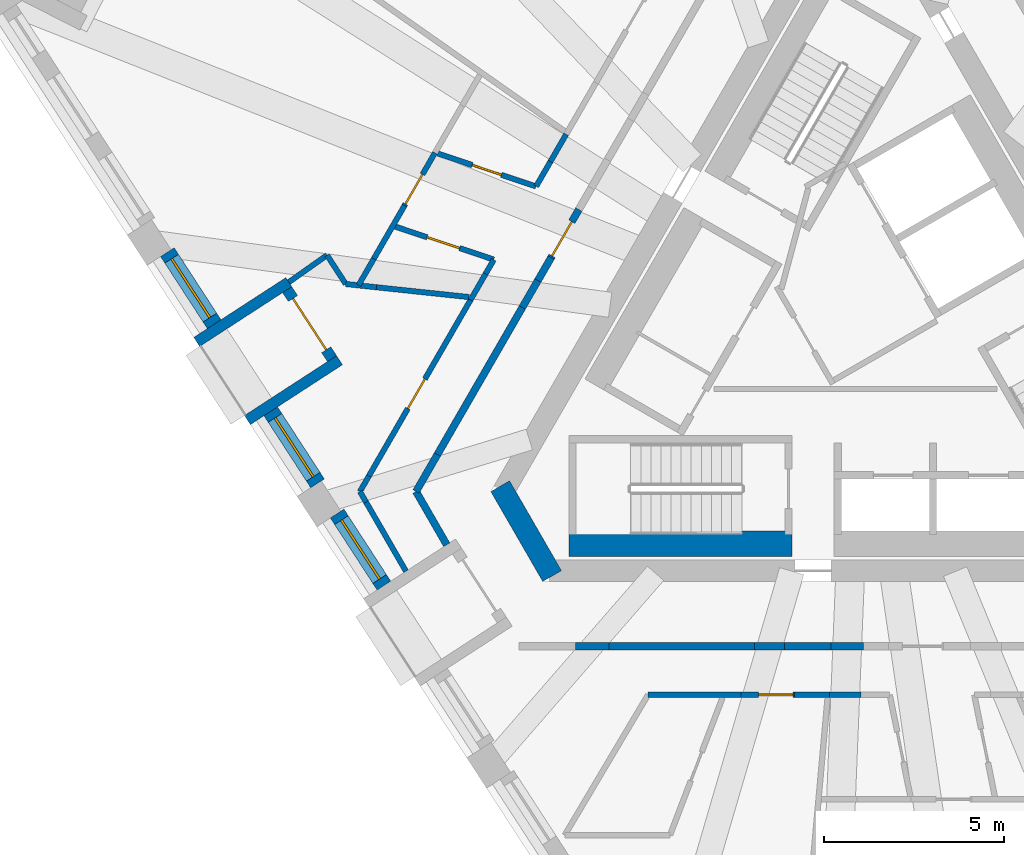
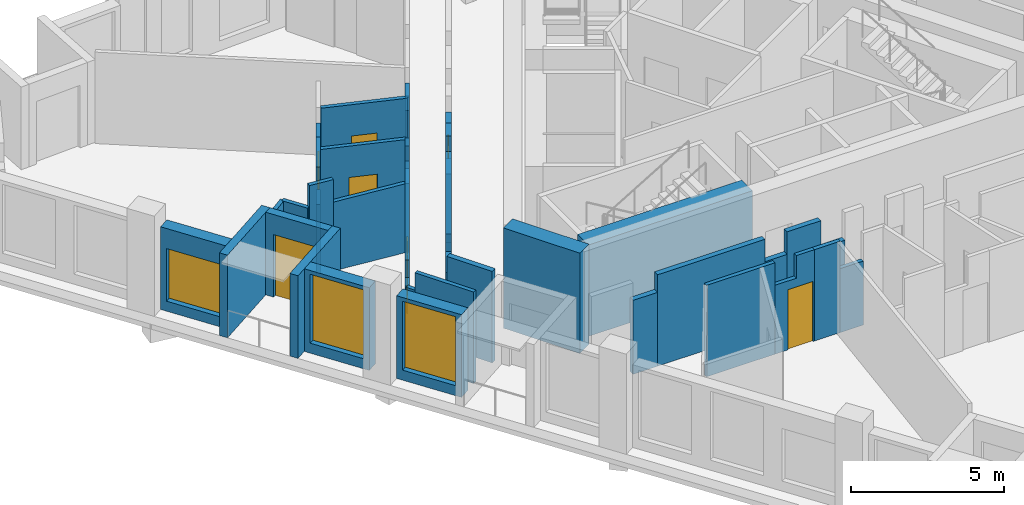
# One storey, part 3 of 13: 40 walls, 7 doors, 3 windows, 10 openings.
"""IFC4 building model written with IfcOpenShell, lengths in metres."""

from ifc_helpers import new_model, si_unit, direction, frame, frame_2d, origin, place, context, subcontext, project, spatial, polyline, rectangle, outline, extrude, material, layer, layer_set, type_object, element, fill, save


model = new_model("IFC4")

# Units and contexts
model_context = context("Model", 3, precision=1e-05, world=origin(), true_north=direction((0.0, 1.0)))
body_context = subcontext(model_context, "Body", "Model", "MODEL_VIEW")
ifc_project = project(units=[si_unit("LENGTHUNIT", "METRE"), si_unit("AREAUNIT", "SQUARE_METRE"), si_unit("VOLUMEUNIT", "CUBIC_METRE"), si_unit("PLANEANGLEUNIT", "RADIAN"), si_unit("MASSUNIT", "GRAM", prefix="KILO")], contexts=[model_context])

# Site, building, storey
site_placement = place(None, origin())
site = spatial("IfcSite", under=ifc_project, at=site_placement, CompositionType="ELEMENT")
building_placement = place(site_placement, origin())
building = spatial("IfcBuilding", under=site, at=building_placement, Name="Tramontana Tower", CompositionType="ELEMENT")
storey_placement = place(building_placement, frame((0.0, 0.0, 290.39990234375)))
storey = spatial("IfcBuildingStorey", under=building, at=storey_placement, Name="L68", CompositionType="ELEMENT", Elevation=290.39990234375)

# Walls
ifc_material_1 = material(Name="Concrete 70 MPa", Category="concrete")
ifc_layer_1 = layer(ifc_material_1, 0.60009765625)
ifc_layer_set_1 = layer_set([ifc_layer_1], Name="Core wall 600 70 MPa")
wall_type_1 = type_object("IfcWallType", Name="Core wall 600 70 MPa", PredefinedType="SHEAR", material=ifc_layer_set_1)
wall_1_placement = place(storey_placement, frame((-9.98828125, -4.10009765625, 0.0), z_axis=(0.0, 0.0, 1.0), x_axis=(0.499995765644, -0.866027848477, 0.0)))
element("IfcWall", 1, at=wall_1_placement, inside=storey, type_object=wall_type_1, Name="Core wall C2 L68", PredefinedType="SHEAR", context=body_context, shape_type="SweptSolid", body=[
    extrude(rectangle(XDim=2.88671875, YDim=0.60009765625, at=frame_2d((1.443359375, 0.0))), origin(), (0.0, 0.0, 1.0), 4.0),
])
ifc_material_2 = material(Name="Blockwork", Category="masonry")
ifc_layer_2 = layer(ifc_material_2, 0.199951171875)
ifc_layer_set_2 = layer_set([ifc_layer_2], Name="ENTRY WALL 200")
wall_type_2 = type_object("IfcWallType", Name="ENTRY WALL 200", PredefinedType="SOLIDWALL", material=ifc_layer_set_2)
wall_2_placement = place(storey_placement, frame((0.104248046875, -8.550048828125, 0.0), z_axis=(0.0, 0.0, 1.0), x_axis=(-1.0, 0.0, 0.0)))
element("IfcWall", 2, at=wall_2_placement, inside=storey, type_object=wall_type_2, Name="Wall v71-ew1-6", PredefinedType="SOLIDWALL", context=body_context, shape_type="SweptSolid", body=[
    extrude(rectangle(XDim=0.900634765625, YDim=0.199951171875, at=frame_2d((0.4501953125, 0.0))), origin(), (0.0, 0.0, 1.0), 2.550048828125),
])
wall_3_placement = place(storey_placement, frame((-0.79638671875, -8.550048828125, 0.0), z_axis=(0.0, 0.0, 1.0), x_axis=(-1.0, 0.0, 0.0)))
element("IfcWall", 3, at=wall_3_placement, inside=storey, type_object=wall_type_2, Name="Wall v71-ew1-7", PredefinedType="SOLIDWALL", context=body_context, shape_type="SweptSolid", body=[
    extrude(rectangle(XDim=1.2861328125, YDim=0.199951171875, at=frame_2d((0.64306640625, 0.0))), origin(), (0.0, 0.0, 1.0), 3.650146484375),
])
wall_4_placement = place(storey_placement, frame((-2.08251953125, -8.550048828125, 0.0), z_axis=(0.0, 0.0, 1.0), x_axis=(-1.0, 0.0, 0.0)))
element("IfcWall", 4, at=wall_4_placement, inside=storey, type_object=wall_type_2, Name="Wall v71-ew1-8", PredefinedType="SOLIDWALL", context=body_context, shape_type="SweptSolid", body=[
    extrude(rectangle(XDim=0.83349609375, YDim=0.199951171875, at=frame_2d((0.416748046875, 0.0))), origin(), (0.0, 0.0, 1.0), 2.75),
])
wall_5_placement = place(storey_placement, frame((-2.916015625, -8.550048828125, 0.0), z_axis=(0.0, 0.0, 1.0), x_axis=(-1.0, 0.0, 0.0)))
element("IfcWall", 5, at=wall_5_placement, inside=storey, type_object=wall_type_2, Name="Wall v71-ew1-9", PredefinedType="SOLIDWALL", context=body_context, shape_type="SweptSolid", body=[
    extrude(rectangle(XDim=4.052490234375, YDim=0.199951171875, at=frame_2d((2.0263671875, 0.0))), origin(), (0.0, 0.0, 1.0), 3.650146484375),
])
wall_6_placement = place(storey_placement, frame((-6.968505859375, -8.550048828125, 0.0), z_axis=(0.0, 0.0, 1.0), x_axis=(-1.0, 0.0, 0.0)))
element("IfcWall", 6, at=wall_6_placement, inside=storey, type_object=wall_type_2, Name="Wall v71-ew1-10", PredefinedType="SOLIDWALL", context=body_context, shape_type="SweptSolid", body=[
    extrude(rectangle(XDim=0.927490234375, YDim=0.199951171875, at=frame_2d((0.4638671875, 0.0))), origin(), (0.0, 0.0, 1.0), 2.9501953125),
])
wall_7_placement = place(storey_placement, frame((-11.472412109375, -5.729248046875, 0.0), z_axis=(0.0, 0.0, 1.0), x_axis=(-0.499982281718, 0.866035633198, 0.0)))
element("IfcWall", 7, at=wall_7_placement, inside=storey, type_object=wall_type_2, Name="Wall v71-ew2", PredefinedType="SOLIDWALL", context=body_context, shape_type="SweptSolid", body=[
    extrude(rectangle(XDim=1.7080078125, YDim=0.199951171875, at=frame_2d((0.85400390625, 0.0))), origin(), (0.0, 0.0, 1.0), 3.650146484375),
])
wall_8_placement = place(storey_placement, frame((-12.326416015625, -4.25, 0.0), z_axis=(0.0, 0.0, 1.0), x_axis=(0.499983247966, 0.86603507536, 0.0)))
element("IfcWall", 8, at=wall_8_placement, inside=storey, type_object=wall_type_2, Name="Wall v71-ew3-0", PredefinedType="SOLIDWALL", context=body_context, shape_type="SweptSolid", body=[
    extrude(rectangle(XDim=1.1884765625, YDim=0.199951171875, at=frame_2d((0.59423828125, 0.0))), origin(), (0.0, 0.0, 1.0), 2.9501953125),
])
wall_9_placement = place(storey_placement, frame((-11.732177734375, -3.220703125, 0.0), z_axis=(0.0, 0.0, 1.0), x_axis=(0.500007683529, 0.866020967652, 0.0)))
element("IfcWall", 9, at=wall_9_placement, inside=storey, type_object=wall_type_2, Name="Wall v71-ew3-1", PredefinedType="SOLIDWALL", context=body_context, shape_type="SweptSolid", body=[
    extrude(rectangle(XDim=4.71728515625, YDim=0.199951171875, at=frame_2d((2.358642578125, 0.0))), origin(), (0.0, 0.0, 1.0), 3.650146484375),
])
wall_10_placement = place(storey_placement, frame((-9.37353515625, 0.864501953125, 0.0), z_axis=(0.0, 0.0, 1.0), x_axis=(0.500056482814, 0.86599279096, 0.0)))
element("IfcWall", 10, at=wall_10_placement, inside=storey, type_object=wall_type_2, Name="Wall v71-ew3-2", PredefinedType="SOLIDWALL", context=body_context, shape_type="SweptSolid", body=[
    extrude(rectangle(XDim=0.86474609375, YDim=0.199951171875, at=frame_2d((0.432373046875, 0.0))), origin(), (0.0, 0.0, 1.0), 2.75),
])
wall_11_placement = place(storey_placement, frame((-8.941162109375, 1.61328125, 0.0), z_axis=(0.0, 0.0, 1.0), x_axis=(0.499875190247, 0.866097450739, 0.0)))
element("IfcWall", 11, at=wall_11_placement, inside=storey, type_object=wall_type_2, Name="Wall v71-ew3-3", PredefinedType="SOLIDWALL", context=body_context, shape_type="SweptSolid", body=[
    extrude(rectangle(XDim=0.738037109375, YDim=0.199951171875, at=frame_2d((0.369140625, 0.0))), origin(), (0.0, 0.0, 1.0), 3.650146484375),
])

# Wall, opening, door
wall_12_placement = place(storey_placement, frame((-8.572265625, 2.25244140625, 0.0), z_axis=(0.0, 0.0, 1.0), x_axis=(0.499992328818, 0.866029832698, 0.0)))
wall_12 = element("IfcWall", 12, at=wall_12_placement, inside=storey, type_object=wall_type_2, Name="Wall v71-ew3-4", PredefinedType="SOLIDWALL", context=body_context, shape_type="SweptSolid", body=[
    extrude(outline(polyline([(0.0, 0.0), (1.5400390625, 0.0), (1.5400390625, 2.550048828125), (0.63037109375, 2.550048828125), (0.63037109375, 3.650146484375), (0.0, 3.650146484375), (0.0, 0.0)])), frame((0.0, 0.10009765625, 0.0), z_axis=(0.0, -1.0, 0.0), x_axis=(1.0, 0.0, 0.0)), (0.0, 0.0, 1.0), 0.199951171875),
])
opening_1_placement = place(wall_12_placement, frame((0.050048828125, 0.0, 0.0)))
opening_1 = element("IfcOpeningElement", 13, at=opening_1_placement, cuts=wall_12, Name="Opening B7B-20", PredefinedType="OPENING", context=body_context, shape_type="SweptSolid", body=[
    extrude(rectangle(XDim=1.10009765625, YDim=2.39990234375, at=frame_2d((0.550048828125, 1.199951171875))), frame((0.0, 0.10986328125, 0.0), z_axis=(0.0, -1.0, 0.0), x_axis=(1.0, 0.0, 0.0)), (0.0, 0.0, 1.0), 0.219970703125),
])
ifc_material_3 = material(Name="Painted timber", Category="wood")
door_type_1 = type_object("IfcDoorType", Name="DOOR ENTRY 1100", OperationType="SINGLE_SWING_LEFT", PredefinedType="DOOR", material=ifc_material_3)
door_1_placement = place(opening_1_placement, origin())
door_1 = element("IfcDoor", 14, at=door_1_placement, inside=storey, type_object=door_type_1, Name="Door B7B-20", OperationType="SINGLE_SWING_RIGHT", OverallHeight=2.39990234375, OverallWidth=1.10009765625, PredefinedType="DOOR", context=body_context, shape_type="SweptSolid", body=[
    extrude(rectangle(XDim=1.10009765625, YDim=2.39990234375, at=frame_2d((0.550048828125, 1.199951171875))), frame((0.0, 0.02490234375, 0.0), z_axis=(0.0, -1.0, 0.0), x_axis=(1.0, 0.0, 0.0)), (0.0, 0.0, 1.0), 0.050048828125),
])
fill(opening_1, door_1)

# Wall, opening, window
ifc_material_4 = material(Name="Precast concrete 60 MPa", Category="concrete")
ifc_layer_3 = layer(ifc_material_4, 0.449951171875)
ifc_layer_set_3 = layer_set([ifc_layer_3], Name="Precast concrete 60 MPa, 450 mm")
wall_type_3 = type_object("IfcWallType", Name="EW1 Stone-faced precast wall 450", PredefinedType="SOLIDWALL", material=ifc_layer_set_3)
wall_13_placement = place(storey_placement, frame((-19.236083984375, 2.401123046875, 0.0), z_axis=(0.0, 0.0, 1.0), x_axis=(0.544675520966, -0.838646872563, 0.0)))
wall_13 = element("IfcWall", 15, at=wall_13_placement, inside=storey, type_object=wall_type_3, Name="External wall L68 face 0 bay 2", PredefinedType="SOLIDWALL", context=body_context, shape_type="SweptSolid", body=[
    extrude(rectangle(XDim=2.38671875, YDim=0.449951171875, at=frame_2d((1.193359375, 0.0))), origin(), (0.0, 0.0, 1.0), 3.300048828125),
])
opening_2_placement = place(wall_13_placement, frame((0.21826171875, 0.0, 0.39990234375)))
opening_2 = element("IfcOpeningElement", 16, at=opening_2_placement, cuts=wall_13, Name="Opening M3L", PredefinedType="OPENING", context=body_context, shape_type="SweptSolid", body=[
    extrude(rectangle(XDim=1.949951171875, YDim=2.10009765625, at=frame_2d((0.97509765625, 1.050048828125))), frame((0.0, 0.23486328125, 0.0), z_axis=(0.0, -1.0, 0.0), x_axis=(1.0, 0.0, 0.0)), (0.0, 0.0, 1.0), 0.469970703125),
])
ifc_material_5 = material(Name="Aluminum frame, double glazing unit", Category="aluminium")
window_type_1 = type_object("IfcWindowType", Name="M3L Window 1.95 x 2.1", PartitioningType="SINGLE_PANEL", PredefinedType="WINDOW", material=ifc_material_5)
window_1_placement = place(opening_2_placement, origin())
window_1 = element("IfcWindow", 17, at=window_1_placement, inside=storey, type_object=window_type_1, Name="Window M3L L68 face 0 module 4", OverallHeight=2.10009765625, OverallWidth=1.949951171875, PartitioningType="SINGLE_PANEL", PredefinedType="WINDOW", context=body_context, shape_type="SweptSolid", body=[
    extrude(rectangle(XDim=1.949951171875, YDim=2.10009765625, at=frame_2d((0.97509765625, 1.050048828125))), frame((0.0, 0.030029296875, 0.0), z_axis=(0.0, -1.0, 0.0), x_axis=(1.0, 0.0, 0.0)), (0.0, 0.0, 1.0), 0.06005859375),
])
fill(opening_2, window_1)

wall_14_placement = place(storey_placement, frame((-16.36376953125, -2.021728515625, 0.0), z_axis=(0.0, 0.0, 1.0), x_axis=(0.544603573947, -0.838693595566, 0.0)))
wall_14 = element("IfcWall", 18, at=wall_14_placement, inside=storey, type_object=wall_type_3, Name="External wall L68 face 0 bay 2", PredefinedType="SOLIDWALL", context=body_context, shape_type="SweptSolid", body=[
    extrude(rectangle(XDim=2.38671875, YDim=0.449951171875, at=frame_2d((1.193359375, 0.0))), origin(), (0.0, 0.0, 1.0), 3.300048828125),
])
opening_3_placement = place(wall_14_placement, frame((0.21826171875, 0.0, 0.39990234375)))
opening_3 = element("IfcOpeningElement", 19, at=opening_3_placement, cuts=wall_14, Name="Opening M3", PredefinedType="OPENING", context=body_context, shape_type="SweptSolid", body=[
    extrude(rectangle(XDim=1.949951171875, YDim=2.75, at=frame_2d((0.97509765625, 1.375))), frame((0.0, 0.23486328125, 0.0), z_axis=(0.0, -1.0, 0.0), x_axis=(1.0, 0.0, 0.0)), (0.0, 0.0, 1.0), 0.469970703125),
])
ifc_material_6 = material(Name="Aluminum frame, double glazing unit", Category="aluminium")
window_type_2 = type_object("IfcWindowType", Name="M3 Window 1.95 x 2.75", PartitioningType="SINGLE_PANEL", PredefinedType="WINDOW", material=ifc_material_6)
window_2_placement = place(opening_3_placement, origin())
window_2 = element("IfcWindow", 20, at=window_2_placement, inside=storey, type_object=window_type_2, Name="Window M3 L68 face 0 module 6", OverallHeight=2.75, OverallWidth=1.949951171875, PartitioningType="SINGLE_PANEL", PredefinedType="WINDOW", context=body_context, shape_type="SweptSolid", body=[
    extrude(rectangle(XDim=1.949951171875, YDim=2.75, at=frame_2d((0.97509765625, 1.375))), frame((0.0, 0.030029296875, 0.0), z_axis=(0.0, -1.0, 0.0), x_axis=(1.0, 0.0, 0.0)), (0.0, 0.0, 1.0), 0.06005859375),
])
fill(opening_3, window_2)

wall_15_placement = place(storey_placement, frame((-14.519287109375, -4.862060546875, 0.0), z_axis=(0.0, 0.0, 1.0), x_axis=(0.544603573947, -0.838693595566, 0.0)))
wall_15 = element("IfcWall", 21, at=wall_15_placement, inside=storey, type_object=wall_type_3, Name="External wall L68 face 0 bay 3", PredefinedType="SOLIDWALL", context=body_context, shape_type="SweptSolid", body=[
    extrude(rectangle(XDim=2.38671875, YDim=0.449951171875, at=frame_2d((1.193359375, 0.0))), origin(), (0.0, 0.0, 1.0), 3.300048828125),
])
opening_4_placement = place(wall_15_placement, frame((0.21826171875, 0.0, 0.39990234375)))
opening_4 = element("IfcOpeningElement", 22, at=opening_4_placement, cuts=wall_15, Name="Opening M3", PredefinedType="OPENING", context=body_context, shape_type="SweptSolid", body=[
    extrude(rectangle(XDim=1.949951171875, YDim=2.75, at=frame_2d((0.97509765625, 1.375))), frame((0.0, 0.23486328125, 0.0), z_axis=(0.0, -1.0, 0.0), x_axis=(1.0, 0.0, 0.0)), (0.0, 0.0, 1.0), 0.469970703125),
])
window_3_placement = place(opening_4_placement, origin())
window_3 = element("IfcWindow", 23, at=window_3_placement, inside=storey, type_object=window_type_2, Name="Window M3 L68 face 0 module 7", OverallHeight=2.75, OverallWidth=1.949951171875, PartitioningType="SINGLE_PANEL", PredefinedType="WINDOW", context=body_context, shape_type="SweptSolid", body=[
    extrude(rectangle(XDim=1.949951171875, YDim=2.75, at=frame_2d((0.97509765625, 1.375))), frame((0.0, 0.030029296875, 0.0), z_axis=(0.0, -1.0, 0.0), x_axis=(1.0, 0.0, 0.0)), (0.0, 0.0, 1.0), 0.06005859375),
])
fill(opening_4, window_3)

# Wall, opening, door
ifc_material_7 = material(Name="Precast concrete 60 MPa", Category="concrete")
ifc_layer_4 = layer(ifc_material_7, 0.300048828125)
ifc_layer_set_4 = layer_set([ifc_layer_4], Name="LW1 Stone-faced loggia wall 300")
wall_type_4 = type_object("IfcWallType", Name="LW1 Stone-faced loggia wall 300", PredefinedType="SOLIDWALL", material=ifc_layer_set_4)
wall_16_placement = place(storey_placement, frame((-15.90673828125, 1.359619140625, 0.0), z_axis=(0.0, 0.0, 1.0), x_axis=(0.544658103125, -0.838658184662, 0.0)))
wall_16 = element("IfcWall", 24, at=wall_16_placement, inside=storey, type_object=wall_type_4, Name="Loggia wall L68 G7S0.4", PredefinedType="SOLIDWALL", context=body_context, shape_type="SweptSolid", body=[
    extrude(rectangle(XDim=2.286865234375, YDim=0.300048828125, at=frame_2d((1.1435546875, 0.0))), origin(), (0.0, 0.0, 1.0), 3.300048828125),
])
opening_5_placement = place(wall_16_placement, frame((0.29345703125, 0.0, 0.0)))
opening_5 = element("IfcOpeningElement", 25, at=opening_5_placement, cuts=wall_16, Name="Opening BD-7S0-04", PredefinedType="OPENING", context=body_context, shape_type="SweptSolid", body=[
    extrude(rectangle(XDim=1.699951171875, YDim=2.5, at=frame_2d((0.85009765625, 1.25))), frame((0.0, 0.159912109375, 0.0), z_axis=(0.0, -1.0, 0.0), x_axis=(1.0, 0.0, 0.0)), (0.0, 0.0, 1.0), 0.320068359375),
])
ifc_material_8 = material(Name="Aluminum frame, double glazing unit", Category="aluminium")
door_type_2 = type_object("IfcDoorType", Name="BD3 Sliding door 1.7 x 2.5", OperationType="SLIDING_TO_LEFT", PredefinedType="DOOR", material=ifc_material_8)
door_2_placement = place(opening_5_placement, origin())
door_2 = element("IfcDoor", 26, at=door_2_placement, inside=storey, type_object=door_type_2, Name="Loggia door L68 G7S0.4", OperationType="SLIDING_TO_LEFT", OverallHeight=2.5, OverallWidth=1.699951171875, PredefinedType="DOOR", context=body_context, shape_type="SweptSolid", body=[
    extrude(rectangle(XDim=1.699951171875, YDim=2.5, at=frame_2d((0.85009765625, 1.25))), frame((0.0, 0.02490234375, 0.0), z_axis=(0.0, -1.0, 0.0), x_axis=(1.0, 0.0, 0.0)), (0.0, 0.0, 1.0), 0.050048828125),
])
fill(opening_5, door_2)

# Walls
for number, where, z_axis, x_axis, name in (
    (27, (-18.42041015625, -0.093994140625, 0.0), (0.0, 0.0, 1.0), (0.838664840319, 0.544647854685, 0.0), "Loggia return L68 G7S0.4a"),
    (28, (-17.01171875, -2.263427734375, 0.0), (0.0, 0.0, 1.0), (0.838664840319, 0.544647854685, 0.0), "Loggia return L68 G7S0.4b"),
):
    element("IfcWall", number, at=place(storey_placement, frame(where, z_axis=z_axis, x_axis=x_axis)), inside=storey, type_object=wall_type_4, Name=name, PredefinedType="SOLIDWALL", context=body_context, shape_type="SweptSolid", body=[
        extrude(rectangle(XDim=3.0498046875, YDim=0.300048828125, at=frame_2d((1.52490234375, 0.0))), origin(), (0.0, 0.0, 1.0), 3.300048828125),
    ])
ifc_material_9 = material(Name="Gypsum board partition")
ifc_layer_5 = layer(ifc_material_9, 0.14990234375)
ifc_layer_set_5 = layer_set([ifc_layer_5], Name="PARTITION 150")
wall_type_5 = type_object("IfcWallType", Name="PARTITION 150", PredefinedType="PARTITIONING", material=ifc_layer_set_5)
wall_17_placement = place(storey_placement, frame((-14.80126953125, 2.316162109375, 0.0), z_axis=(0.0, 0.0, 1.0), x_axis=(-0.817009530875, -0.576624163958, 0.0)))
element("IfcWall", 29, at=wall_17_placement, inside=storey, type_object=wall_type_5, Name="Wall v71-pw02-0", PredefinedType="PARTITIONING", context=body_context, shape_type="SweptSolid", body=[
    extrude(rectangle(XDim=1.299072265625, YDim=0.14990234375, at=frame_2d((0.6494140625, 0.0))), origin(), (0.0, 0.0, 1.0), 2.75),
])
wall_18_placement = place(storey_placement, frame((-14.279296875, 1.51611328125, 0.0), z_axis=(0.0, 0.0, 1.0), x_axis=(-0.5444931366, 0.838765297444, 0.0)))
element("IfcWall", 30, at=wall_18_placement, inside=storey, type_object=wall_type_5, Name="Wall v71-pw03-0", PredefinedType="PARTITIONING", context=body_context, shape_type="SweptSolid", body=[
    extrude(rectangle(XDim=0.953369140625, YDim=0.14990234375, at=frame_2d((0.4765625, 0.0))), origin(), (0.0, 0.0, 1.0), 2.75),
])
wall_19_placement = place(storey_placement, frame((-13.9248046875, 1.4814453125, 0.0), z_axis=(0.0, 0.0, 1.0), x_axis=(0.499846793097, 0.866113839764, 0.0)))
element("IfcWall", 31, at=wall_19_placement, inside=storey, type_object=wall_type_5, Name="Wall v71-pw04-0", PredefinedType="PARTITIONING", context=body_context, shape_type="SweptSolid", body=[
    extrude(rectangle(XDim=0.849853515625, YDim=0.14990234375, at=frame_2d((0.4248046875, 0.0))), origin(), (0.0, 0.0, 1.0), 2.75),
])
wall_20_placement = place(storey_placement, frame((-13.5, 2.217529296875, 0.0), z_axis=(0.0, 0.0, 1.0), x_axis=(0.500015459501, 0.866016478054, 0.0)))
element("IfcWall", 32, at=wall_20_placement, inside=storey, type_object=wall_type_5, Name="Wall v71-pw04-1", PredefinedType="PARTITIONING", context=body_context, shape_type="SweptSolid", body=[
    extrude(rectangle(XDim=1.70703125, YDim=0.14990234375, at=frame_2d((0.853515625, 0.0))), origin(), (0.0, 0.0, 1.0), 3.650146484375),
])

# Wall, opening, door
wall_21_placement = place(storey_placement, frame((-12.646484375, 3.69580078125, 0.0), z_axis=(0.0, 0.0, 1.0), x_axis=(0.500046963369, 0.865998287773, 0.0)))
wall_21 = element("IfcWall", 33, at=wall_21_placement, inside=storey, type_object=wall_type_5, Name="Wall v71-pw04-2", PredefinedType="PARTITIONING", context=body_context, shape_type="SweptSolid", body=[
    extrude(outline(polyline([(0.0, 0.0), (1.693115234375, 0.0), (1.693359375, 2.550048828125), (0.80908203125, 2.550048828125), (0.80908203125, 3.650146484375), (0.0, 3.650146484375), (0.0, 0.0)])), frame((0.0, 0.074951171875, 0.0), z_axis=(0.0, -1.0, 0.0), x_axis=(1.0, 0.0, 0.0)), (0.0, 0.0, 1.0), 0.14990234375),
])
opening_6_placement = place(wall_21_placement, frame((0.050048828125, 0.0, 0.0)))
opening_6 = element("IfcOpeningElement", 34, at=opening_6_placement, cuts=wall_21, Name="Opening B7B-03", PredefinedType="OPENING", context=body_context, shape_type="SweptSolid", body=[
    extrude(rectangle(XDim=0.949951171875, YDim=2.39990234375, at=frame_2d((0.47509765625, 1.199951171875))), frame((0.0, 0.0849609375, 0.0), z_axis=(0.0, -1.0, 0.0), x_axis=(1.0, 0.0, 0.0)), (0.0, 0.0, 1.0), 0.169921875),
])
ifc_material_10 = material(Name="Painted timber", Category="wood")
door_type_3 = type_object("IfcDoorType", Name="DOOR ROOM 950", OperationType="SINGLE_SWING_LEFT", PredefinedType="DOOR", material=ifc_material_10)
door_3_placement = place(opening_6_placement, origin())
door_3 = element("IfcDoor", 35, at=door_3_placement, inside=storey, type_object=door_type_3, Name="Door B7B-03", OperationType="SINGLE_SWING_LEFT", OverallHeight=2.39990234375, OverallWidth=0.949951171875, PredefinedType="DOOR", context=body_context, shape_type="SweptSolid", body=[
    extrude(rectangle(XDim=0.949951171875, YDim=2.39990234375, at=frame_2d((0.47509765625, 1.199951171875))), frame((0.0, 0.02490234375, 0.0), z_axis=(0.0, -1.0, 0.0), x_axis=(1.0, 0.0, 0.0)), (0.0, 0.0, 1.0), 0.050048828125),
])
fill(opening_6, door_3)

# Wall
wall_22_placement = place(storey_placement, frame((-13.88525390625, -4.25, 0.0), z_axis=(0.0, 0.0, 1.0), x_axis=(0.499904868165, 0.866080321209, 0.0)))
element("IfcWall", 36, at=wall_22_placement, inside=storey, type_object=wall_type_5, Name="Wall v71-pw05-0", PredefinedType="PARTITIONING", context=body_context, shape_type="SweptSolid", body=[
    extrude(rectangle(XDim=0.501953125, YDim=0.14990234375, at=frame_2d((0.2509765625, 0.0))), origin(), (0.0, 0.0, 1.0), 2.9501953125),
])

# Wall, opening, door
wall_23_placement = place(storey_placement, frame((-13.63427734375, -3.815185546875, 0.0), z_axis=(0.0, 0.0, 1.0), x_axis=(0.500005829693, 0.866022037983, 0.0)))
wall_23 = element("IfcWall", 37, at=wall_23_placement, inside=storey, type_object=wall_type_5, Name="Wall v71-pw05-1", PredefinedType="PARTITIONING", context=body_context, shape_type="SweptSolid", body=[
    extrude(rectangle(XDim=5.64306640625, YDim=0.14990234375, at=frame_2d((2.821533203125, 0.0))), origin(), (0.0, 0.0, 1.0), 3.650146484375),
])
opening_7_placement = place(wall_23_placement, frame((2.158447265625, 0.0, 0.0)))
opening_7 = element("IfcOpeningElement", 38, at=opening_7_placement, cuts=wall_23, Name="Opening B7B-05", PredefinedType="OPENING", context=body_context, shape_type="SweptSolid", body=[
    extrude(rectangle(XDim=0.949951171875, YDim=2.39990234375, at=frame_2d((0.47509765625, 1.199951171875))), frame((0.0, 0.0849609375, 0.0), z_axis=(0.0, -1.0, 0.0), x_axis=(1.0, 0.0, 0.0)), (0.0, 0.0, 1.0), 0.169921875),
])
door_4_placement = place(opening_7_placement, origin())
door_4 = element("IfcDoor", 39, at=door_4_placement, inside=storey, type_object=door_type_3, Name="Door B7B-05", OperationType="SINGLE_SWING_LEFT", OverallHeight=2.39990234375, OverallWidth=0.949951171875, PredefinedType="DOOR", context=body_context, shape_type="SweptSolid", body=[
    extrude(rectangle(XDim=0.949951171875, YDim=2.39990234375, at=frame_2d((0.47509765625, 1.199951171875))), frame((0.0, 0.02490234375, 0.0), z_axis=(0.0, -1.0, 0.0), x_axis=(1.0, 0.0, 0.0)), (0.0, 0.0, 1.0), 0.050048828125),
])
fill(opening_7, door_4)

# Walls
wall_24_placement = place(storey_placement, frame((-10.812744140625, 1.07177734375, 0.0), z_axis=(0.0, 0.0, 1.0), x_axis=(0.500025132165, 0.866010893236, 0.0)))
element("IfcWall", 40, at=wall_24_placement, inside=storey, type_object=wall_type_5, Name="Wall v71-pw05-2", PredefinedType="PARTITIONING", context=body_context, shape_type="SweptSolid", body=[
    extrude(rectangle(XDim=0.837890625, YDim=0.14990234375, at=frame_2d((0.4189453125, 0.0))), origin(), (0.0, 0.0, 1.0), 2.75),
])
wall_25_placement = place(storey_placement, frame((-10.393798828125, 1.79736328125, 0.0), z_axis=(0.0, 0.0, 1.0), x_axis=(0.499909183523, 0.866077830353, 0.0)))
element("IfcWall", 41, at=wall_25_placement, inside=storey, type_object=wall_type_5, Name="Wall v71-pw05-3", PredefinedType="PARTITIONING", context=body_context, shape_type="SweptSolid", body=[
    extrude(rectangle(XDim=0.45263671875, YDim=0.14990234375, at=frame_2d((0.226318359375, 0.0))), origin(), (0.0, 0.0, 1.0), 3.650146484375),
])
wall_26_placement = place(storey_placement, frame((-12.606201171875, -6.46533203125, 0.0), z_axis=(0.0, 0.0, 1.0), x_axis=(-0.500024353964, 0.86601134256, 0.0)))
element("IfcWall", 42, at=wall_26_placement, inside=storey, type_object=wall_type_5, Name="Wall v71-pw06-0", PredefinedType="PARTITIONING", context=body_context, shape_type="SweptSolid", body=[
    extrude(rectangle(XDim=2.216796875, YDim=0.14990234375, at=frame_2d((1.1083984375, 0.0))), origin(), (0.0, 0.0, 1.0), 3.650146484375),
])
wall_27_placement = place(storey_placement, frame((-13.714599609375, -4.545654296875, 0.0), z_axis=(0.0, 0.0, 1.0), x_axis=(-0.499908181442, 0.866078408764, 0.0)))
element("IfcWall", 43, at=wall_27_placement, inside=storey, type_object=wall_type_5, Name="Wall v71-pw06-1", PredefinedType="PARTITIONING", context=body_context, shape_type="SweptSolid", body=[
    extrude(rectangle(XDim=0.34130859375, YDim=0.14990234375, at=frame_2d((0.170654296875, 0.0))), origin(), (0.0, 0.0, 1.0), 2.9501953125),
])

# Wall, opening, door
wall_28_placement = place(storey_placement, frame((-11.724609375, 5.14208984375, 0.0), z_axis=(0.0, 0.0, 1.0), x_axis=(0.948156269948, -0.317804480394, 0.0)))
wall_28 = element("IfcWall", 44, at=wall_28_placement, inside=storey, type_object=wall_type_5, Name="Wall v71-pw07", PredefinedType="PARTITIONING", context=body_context, shape_type="SweptSolid", body=[
    extrude(rectangle(XDim=2.879150390625, YDim=0.14990234375, at=frame_2d((1.439453125, 0.0))), origin(), (0.0, 0.0, 1.0), 3.650146484375),
])
opening_8_placement = place(wall_28_placement, frame((1.0146484375, 0.0, 0.0)))
opening_8 = element("IfcOpeningElement", 45, at=opening_8_placement, cuts=wall_28, Name="Opening B7B-02", PredefinedType="OPENING", context=body_context, shape_type="SweptSolid", body=[
    extrude(rectangle(XDim=0.85009765625, YDim=2.39990234375, at=frame_2d((0.425048828125, 1.199951171875))), frame((0.0, 0.0849609375, 0.0), z_axis=(0.0, -1.0, 0.0), x_axis=(1.0, 0.0, 0.0)), (0.0, 0.0, 1.0), 0.169921875),
])
ifc_material_11 = material(Name="Painted timber", Category="wood")
door_type_4 = type_object("IfcDoorType", Name="DOOR BATH 850", OperationType="SINGLE_SWING_LEFT", PredefinedType="DOOR", material=ifc_material_11)
door_5_placement = place(opening_8_placement, origin())
door_5 = element("IfcDoor", 46, at=door_5_placement, inside=storey, type_object=door_type_4, Name="Door B7B-02", OperationType="SINGLE_SWING_RIGHT", OverallHeight=2.39990234375, OverallWidth=0.85009765625, PredefinedType="DOOR", context=body_context, shape_type="SweptSolid", body=[
    extrude(rectangle(XDim=0.85009765625, YDim=2.39990234375, at=frame_2d((0.425048828125, 1.199951171875))), frame((0.0, 0.02490234375, 0.0), z_axis=(0.0, -1.0, 0.0), x_axis=(1.0, 0.0, 0.0)), (0.0, 0.0, 1.0), 0.050048828125),
])
fill(opening_8, door_5)

# Walls
wall_29_placement = place(storey_placement, frame((-10.852783203125, 1.15234375, 0.0), z_axis=(0.0, 0.0, 1.0), x_axis=(-0.99441673879, 0.105524166022, 0.0)))
element("IfcWall", 47, at=wall_29_placement, inside=storey, type_object=wall_type_5, Name="Wall v71-pw08-0", PredefinedType="PARTITIONING", context=body_context, shape_type="SweptSolid", body=[
    extrude(rectangle(XDim=2.5888671875, YDim=0.14990234375, at=frame_2d((1.29443359375, 0.0))), origin(), (0.0, 0.0, 1.0), 2.75),
])
wall_30_placement = place(storey_placement, frame((-13.42724609375, 1.425537109375, 0.0), z_axis=(0.0, 0.0, 1.0), x_axis=(-0.994394015125, 0.1057380853, 0.0)))
element("IfcWall", 48, at=wall_30_placement, inside=storey, type_object=wall_type_5, Name="Wall v71-pw08-1", PredefinedType="PARTITIONING", context=body_context, shape_type="SweptSolid", body=[
    extrude(rectangle(XDim=0.856689453125, YDim=0.14990234375, at=frame_2d((0.42822265625, 0.0))), origin(), (0.0, 0.0, 1.0), 3.650146484375),
])

# Wall, opening, door
wall_31_placement = place(storey_placement, frame((-10.169677734375, 2.1953125, 0.0), z_axis=(0.0, 0.0, 1.0), x_axis=(-0.948169123767, 0.317766128993, 0.0)))
wall_31 = element("IfcWall", 49, at=wall_31_placement, inside=storey, type_object=wall_type_5, Name="Wall v71-pw09", PredefinedType="PARTITIONING", context=body_context, shape_type="SweptSolid", body=[
    extrude(rectangle(XDim=2.951171875, YDim=0.14990234375, at=frame_2d((1.4755859375, 0.0))), origin(), (0.0, 0.0, 1.0), 3.650146484375),
])
opening_9_placement = place(wall_31_placement, frame((1.00048828125, 0.0, 0.0)))
opening_9 = element("IfcOpeningElement", 50, at=opening_9_placement, cuts=wall_31, Name="Opening B7B-01", PredefinedType="OPENING", context=body_context, shape_type="SweptSolid", body=[
    extrude(rectangle(XDim=0.949951171875, YDim=2.39990234375, at=frame_2d((0.47509765625, 1.199951171875))), frame((0.0, 0.0849609375, 0.0), z_axis=(0.0, -1.0, 0.0), x_axis=(1.0, 0.0, 0.0)), (0.0, 0.0, 1.0), 0.169921875),
])
door_6_placement = place(opening_9_placement, origin())
door_6 = element("IfcDoor", 51, at=door_6_placement, inside=storey, type_object=door_type_3, Name="Door B7B-01", OperationType="SINGLE_SWING_LEFT", OverallHeight=2.39990234375, OverallWidth=0.949951171875, PredefinedType="DOOR", context=body_context, shape_type="SweptSolid", body=[
    extrude(rectangle(XDim=0.949951171875, YDim=2.39990234375, at=frame_2d((0.47509765625, 1.199951171875))), frame((0.0, 0.02490234375, 0.0), z_axis=(0.0, -1.0, 0.0), x_axis=(1.0, 0.0, 0.0)), (0.0, 0.0, 1.0), 0.050048828125),
])
fill(opening_9, door_6)

# Walls
wall_32_placement = place(storey_placement, frame((-8.989990234375, 4.22900390625, 0.0), z_axis=(0.0, 0.0, 1.0), x_axis=(0.500067892261, 0.865986202621, 0.0)))
element("IfcWall", 52, at=wall_32_placement, inside=storey, type_object=wall_type_5, Name="Wall v71-pw10-0", PredefinedType="PARTITIONING", context=body_context, shape_type="SweptSolid", body=[
    extrude(rectangle(XDim=0.79541015625, YDim=0.14990234375, at=frame_2d((0.397705078125, 0.0))), origin(), (0.0, 0.0, 1.0), 3.650146484375),
])
wall_33_placement = place(storey_placement, frame((-8.59228515625, 4.917724609375, 0.0), z_axis=(0.0, 0.0, 1.0), x_axis=(0.500036104519, 0.866004557827, 0.0)))
element("IfcWall", 53, at=wall_33_placement, inside=storey, type_object=wall_type_5, Name="Wall v71-pw10-1", PredefinedType="PARTITIONING", context=body_context, shape_type="SweptSolid", body=[
    extrude(rectangle(XDim=0.8759765625, YDim=0.14990234375, at=frame_2d((0.43798828125, 0.0))), origin(), (0.0, 0.0, 1.0), 2.550048828125),
])
wall_34_placement = place(storey_placement, frame((0.037109375, -9.89990234375, 0.0), z_axis=(0.0, 0.0, 1.0), x_axis=(-1.0, 0.0, 0.0)))
element("IfcWall", 54, at=wall_34_placement, inside=storey, type_object=wall_type_5, Name="Wall v71-pw21-1", PredefinedType="PARTITIONING", context=body_context, shape_type="SweptSolid", body=[
    extrude(rectangle(XDim=0.875732421875, YDim=0.14990234375, at=frame_2d((0.43798828125, 0.0))), origin(), (0.0, 0.0, 1.0), 2.550048828125),
])
wall_35_placement = place(storey_placement, frame((-0.838623046875, -9.89990234375, 0.0), z_axis=(0.0, 0.0, 1.0), x_axis=(-1.0, 0.0, 0.0)))
element("IfcWall", 55, at=wall_35_placement, inside=storey, type_object=wall_type_5, Name="Wall v71-pw21-2", PredefinedType="PARTITIONING", context=body_context, shape_type="SweptSolid", body=[
    extrude(rectangle(XDim=0.96875, YDim=0.14990234375, at=frame_2d((0.484375, 0.0))), origin(), (0.0, 0.0, 1.0), 3.650146484375),
])

# Wall, opening, door
wall_36_placement = place(storey_placement, frame((-1.807373046875, -9.89990234375, 0.0), z_axis=(0.0, 0.0, 1.0), x_axis=(-1.0, 0.0, 0.0)))
wall_36 = element("IfcWall", 56, at=wall_36_placement, inside=storey, type_object=wall_type_5, Name="Wall v71-pw21-3", PredefinedType="PARTITIONING", context=body_context, shape_type="SweptSolid", body=[
    extrude(outline(polyline([(0.0, 0.0), (1.490234375, 0.0), (1.490234375, 2.75), (0.682861328125, 2.75), (0.682861328125, 3.650146484375), (0.0, 3.650146484375), (0.0, 0.0)])), frame((0.0, 0.074951171875, 0.0), z_axis=(0.0, -1.0, 0.0), x_axis=(1.0, 0.0, 0.0)), (0.0, 0.0, 1.0), 0.14990234375),
])
opening_10_placement = place(wall_36_placement, frame((0.050048828125, 0.0, 0.0)))
opening_10 = element("IfcOpeningElement", 57, at=opening_10_placement, cuts=wall_36, Name="Opening B7B-10", PredefinedType="OPENING", context=body_context, shape_type="SweptSolid", body=[
    extrude(rectangle(XDim=0.949951171875, YDim=2.39990234375, at=frame_2d((0.47509765625, 1.199951171875))), frame((0.0, 0.0849609375, 0.0), z_axis=(0.0, -1.0, 0.0), x_axis=(1.0, 0.0, 0.0)), (0.0, 0.0, 1.0), 0.169921875),
])
door_7_placement = place(opening_10_placement, origin())
door_7 = element("IfcDoor", 58, at=door_7_placement, inside=storey, type_object=door_type_3, Name="Door B7B-10", OperationType="SINGLE_SWING_RIGHT", OverallHeight=2.39990234375, OverallWidth=0.949951171875, PredefinedType="DOOR", context=body_context, shape_type="SweptSolid", body=[
    extrude(rectangle(XDim=0.949951171875, YDim=2.39990234375, at=frame_2d((0.47509765625, 1.199951171875))), frame((0.0, 0.02490234375, 0.0), z_axis=(0.0, -1.0, 0.0), x_axis=(1.0, 0.0, 0.0)), (0.0, 0.0, 1.0), 0.050048828125),
])
fill(opening_10, door_7)

# Walls
wall_37_placement = place(storey_placement, frame((-3.297607421875, -9.89990234375, 0.0), z_axis=(0.0, 0.0, 1.0), x_axis=(-1.0, 0.0, 0.0)))
element("IfcWall", 59, at=wall_37_placement, inside=storey, type_object=wall_type_5, Name="Wall v71-pw21-4", PredefinedType="PARTITIONING", context=body_context, shape_type="SweptSolid", body=[
    extrude(rectangle(XDim=2.57958984375, YDim=0.14990234375, at=frame_2d((1.289794921875, 0.0))), origin(), (0.0, 0.0, 1.0), 3.650146484375),
])
ifc_material_12 = material(Name="Concrete 70 MPa", Category="concrete")
ifc_layer_6 = layer(ifc_material_12, 0.699951171875)
ifc_layer_set_6 = layer_set([ifc_layer_6], Name="Concrete 70 MPa, 700 mm")
wall_type_6 = type_object("IfcWallType", Name="RC SHAFT BACK WALL 700", PredefinedType="SOLIDWALL", material=ifc_layer_set_6)
wall_38_placement = place(storey_placement, frame((-8.080078125, -5.699951171875, 0.0), z_axis=(0.0, 0.0, 1.0), x_axis=(1.0, 0.0, 0.0)))
element("IfcWall", 60, at=wall_38_placement, inside=storey, type_object=wall_type_6, Name="Wall st2-back", PredefinedType="SOLIDWALL", context=body_context, shape_type="SweptSolid", body=[
    extrude(rectangle(XDim=6.2001953125, YDim=0.699951171875, at=frame_2d((3.10009765625, 0.0))), origin(), (0.0, 0.0, 1.0), 3.650146484375),
])

save(model, "model.ifc")
